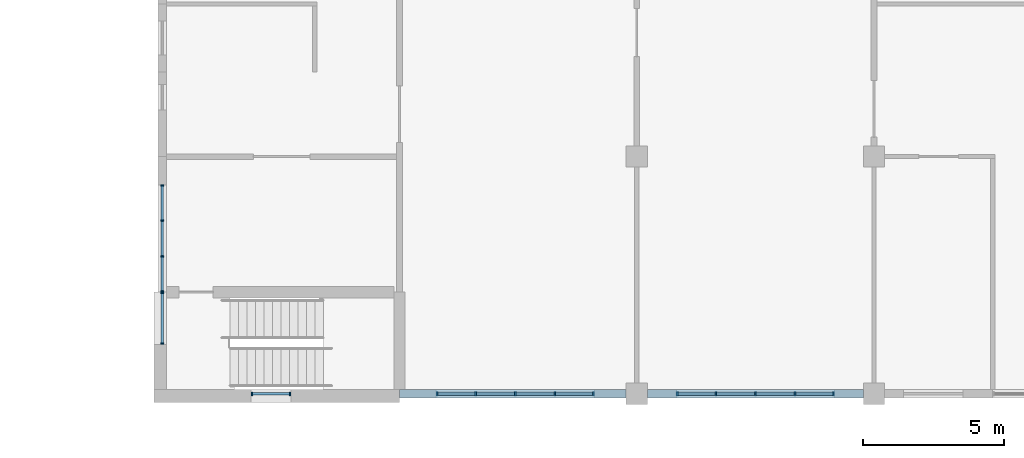
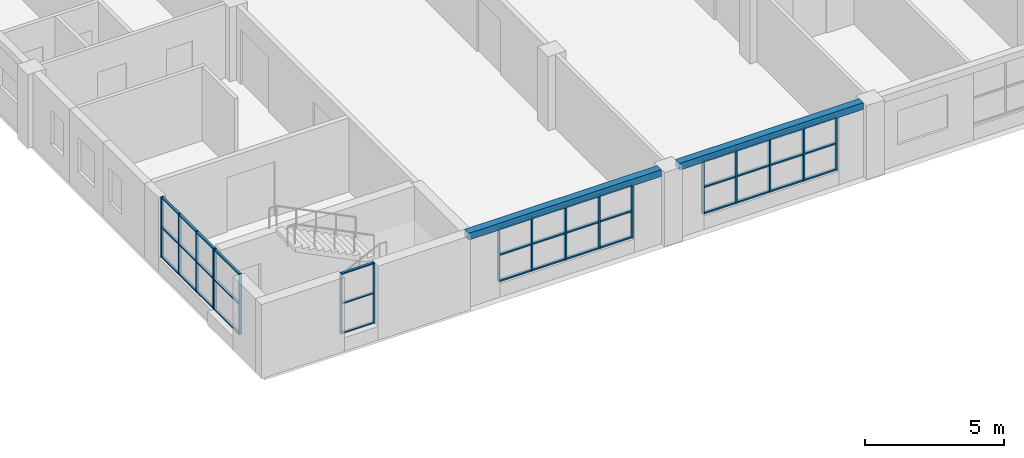
# One storey, part 8 of 45: 57 members, 2 beams, 5 elements without a shape of their own.
"""IFC4 building model written with IfcOpenShell, lengths in metres."""

from ifc_helpers import new_model, si_unit, direction, frame, origin, origin_2d, place, context, subcontext, project, spatial, rectangle, extrude, material, material_profile, profile_set, type_object, element, aggregate, save


model = new_model("IFC4")

# Units and contexts
model_context = context("Model", 3, precision=1e-05, world=origin(), true_north=direction((0.0, 1.0)))
body_context = subcontext(model_context, "Body", "Model", "MODEL_VIEW")
ifc_project = project(units=[si_unit("LENGTHUNIT", "METRE"), si_unit("AREAUNIT", "SQUARE_METRE"), si_unit("VOLUMEUNIT", "CUBIC_METRE"), si_unit("PLANEANGLEUNIT", "RADIAN"), si_unit("MASSUNIT", "GRAM", prefix="KILO")], contexts=[model_context])

# Site, building, storey
site_placement = place(None, origin())
site = spatial("IfcSite", under=ifc_project, at=site_placement, CompositionType="ELEMENT")
building_placement = place(site_placement, origin())
building = spatial("IfcBuilding", under=site, at=building_placement, Name="Yavir Park General Hospital", CompositionType="ELEMENT")
storey_placement = place(building_placement, frame((0.0, 0.0, 22.5)))
storey = spatial("IfcBuildingStorey", under=building, at=storey_placement, Name="L05", CompositionType="ELEMENT", Elevation=22.5)

# Curtain wall, members
ifc_material_1 = material(Name="Aluminium curtain wall frame with insulated glazing", Category="aluminium")
curtain_wall_type_1 = type_object("IfcCurtainWallType", Name="Day room pocket glazing, ward floors, 2360 high, 1400 module", PredefinedType="NOTDEFINED", material=ifc_material_1)
curtain_wall_1_placement = place(storey_placement, origin())
curtain_wall_1 = element("IfcCurtainWall", 1, at=curtain_wall_1_placement, inside=storey, type_object=curtain_wall_type_1, Name="CW6 L05-005", PredefinedType="NOTDEFINED")
ifc_material_2 = material(Name="Aluminium", Category="aluminium")
ifc_material_profile_1 = material_profile(ifc_material_2, rectangle(XDim=0.139892578125, YDim=0.06005859375, at=origin_2d()), Name="AL 60x140")
ifc_profile_set_1 = profile_set([ifc_material_profile_1], Name="Aluminium")
member_type_1 = type_object("IfcMemberType", Name="Day room pocket glazing, ward floors, 2360 high mullion 60 x 140", PredefinedType="MULLION", material=ifc_profile_set_1)
member_1_placement = place(storey_placement, frame((110.530029296875, 0.0, 0.60009765625), z_axis=(0.0, 0.0, 1.0), x_axis=(0.0, 1.0, 0.0)))
member_1 = element("IfcMember", 2, at=member_1_placement, type_object=member_type_1, Name="CW6 mullion 1", PredefinedType="MULLION", context=body_context, shape_type="SweptSolid", body=[
    extrude(rectangle(XDim=0.139892578125, YDim=0.06005859375, at=origin_2d()), origin(), (0.0, 0.0, 1.0), 2.35986328125),
])
member_2_placement = place(storey_placement, frame((111.89990234375, 0.0, 0.60009765625), z_axis=(0.0, 0.0, 1.0), x_axis=(0.0, 1.0, 0.0)))
member_2 = element("IfcMember", 3, at=member_2_placement, type_object=member_type_1, Name="CW6 mullion 2", PredefinedType="MULLION", context=body_context, shape_type="SweptSolid", body=[
    extrude(rectangle(XDim=0.139892578125, YDim=0.06005859375, at=origin_2d()), origin(), (0.0, 0.0, 1.0), 2.35986328125),
])
member_3_placement = place(storey_placement, frame((113.300048828125, 0.0, 0.60009765625), z_axis=(0.0, 0.0, 1.0), x_axis=(0.0, 1.0, 0.0)))
member_3 = element("IfcMember", 4, at=member_3_placement, type_object=member_type_1, Name="CW6 mullion 3", PredefinedType="MULLION", context=body_context, shape_type="SweptSolid", body=[
    extrude(rectangle(XDim=0.139892578125, YDim=0.06005859375, at=origin_2d()), origin(), (0.0, 0.0, 1.0), 2.35986328125),
])
member_4_placement = place(storey_placement, frame((114.699951171875, 0.0, 0.60009765625), z_axis=(0.0, 0.0, 1.0), x_axis=(0.0, 1.0, 0.0)))
member_4 = element("IfcMember", 5, at=member_4_placement, type_object=member_type_1, Name="CW6 mullion 4", PredefinedType="MULLION", context=body_context, shape_type="SweptSolid", body=[
    extrude(rectangle(XDim=0.139892578125, YDim=0.06005859375, at=origin_2d()), origin(), (0.0, 0.0, 1.0), 2.35986328125),
])
member_5_placement = place(storey_placement, frame((116.070068359375, 0.0, 0.60009765625), z_axis=(0.0, 0.0, 1.0), x_axis=(0.0, 1.0, 0.0)))
member_5 = element("IfcMember", 6, at=member_5_placement, type_object=member_type_1, Name="CW6 mullion 5", PredefinedType="MULLION", context=body_context, shape_type="SweptSolid", body=[
    extrude(rectangle(XDim=0.139892578125, YDim=0.06005859375, at=origin_2d()), origin(), (0.0, 0.0, 1.0), 2.35986328125),
])

curtain_wall_2_placement = place(storey_placement, origin())
curtain_wall_2 = element("IfcCurtainWall", 7, at=curtain_wall_2_placement, inside=storey, type_object=curtain_wall_type_1, Name="CW6 L05-006", PredefinedType="NOTDEFINED")
member_6_placement = place(storey_placement, frame((119.030029296875, 0.0, 0.60009765625), z_axis=(0.0, 0.0, 1.0), x_axis=(0.0, 1.0, 0.0)))
member_6 = element("IfcMember", 8, at=member_6_placement, type_object=member_type_1, Name="CW6 mullion 1", PredefinedType="MULLION", context=body_context, shape_type="SweptSolid", body=[
    extrude(rectangle(XDim=0.139892578125, YDim=0.06005859375, at=origin_2d()), origin(), (0.0, 0.0, 1.0), 2.35986328125),
])
member_7_placement = place(storey_placement, frame((120.39990234375, 0.0, 0.60009765625), z_axis=(0.0, 0.0, 1.0), x_axis=(0.0, 1.0, 0.0)))
member_7 = element("IfcMember", 9, at=member_7_placement, type_object=member_type_1, Name="CW6 mullion 2", PredefinedType="MULLION", context=body_context, shape_type="SweptSolid", body=[
    extrude(rectangle(XDim=0.139892578125, YDim=0.06005859375, at=origin_2d()), origin(), (0.0, 0.0, 1.0), 2.35986328125),
])
member_8_placement = place(storey_placement, frame((121.800048828125, 0.0, 0.60009765625), z_axis=(0.0, 0.0, 1.0), x_axis=(0.0, 1.0, 0.0)))
member_8 = element("IfcMember", 10, at=member_8_placement, type_object=member_type_1, Name="CW6 mullion 3", PredefinedType="MULLION", context=body_context, shape_type="SweptSolid", body=[
    extrude(rectangle(XDim=0.139892578125, YDim=0.06005859375, at=origin_2d()), origin(), (0.0, 0.0, 1.0), 2.35986328125),
])
member_9_placement = place(storey_placement, frame((123.199951171875, 0.0, 0.60009765625), z_axis=(0.0, 0.0, 1.0), x_axis=(0.0, 1.0, 0.0)))
member_9 = element("IfcMember", 11, at=member_9_placement, type_object=member_type_1, Name="CW6 mullion 4", PredefinedType="MULLION", context=body_context, shape_type="SweptSolid", body=[
    extrude(rectangle(XDim=0.139892578125, YDim=0.06005859375, at=origin_2d()), origin(), (0.0, 0.0, 1.0), 2.35986328125),
])
member_10_placement = place(storey_placement, frame((124.570068359375, 0.0, 0.60009765625), z_axis=(0.0, 0.0, 1.0), x_axis=(0.0, 1.0, 0.0)))
member_10 = element("IfcMember", 12, at=member_10_placement, type_object=member_type_1, Name="CW6 mullion 5", PredefinedType="MULLION", context=body_context, shape_type="SweptSolid", body=[
    extrude(rectangle(XDim=0.139892578125, YDim=0.06005859375, at=origin_2d()), origin(), (0.0, 0.0, 1.0), 2.35986328125),
])

# Member
ifc_material_3 = material(Name="Aluminium", Category="aluminium")
ifc_material_profile_2 = material_profile(ifc_material_3, rectangle(XDim=0.1201171875, YDim=0.06005859375, at=origin_2d()), Name="AL 120x60")
ifc_profile_set_2 = profile_set([ifc_material_profile_2], Name="Aluminium")
member_type_2 = type_object("IfcMemberType", Name="Day room pocket glazing, ward floors, 2360 high transom 60 x 120", PredefinedType="MULLION", material=ifc_profile_set_2)
member_11_placement = place(storey_placement, frame((110.56005859375, 0.0, 0.6298828125), z_axis=(1.0, 0.0, 0.0), x_axis=(0.0, 1.0, 0.0)))
member_11 = element("IfcMember", 13, at=member_11_placement, type_object=member_type_2, Name="CW6 transom 1.1", PredefinedType="MULLION", context=body_context, shape_type="SweptSolid", body=[
    extrude(rectangle(XDim=0.1201171875, YDim=0.06005859375, at=origin_2d()), origin(), (0.0, 0.0, 1.0), 1.31005859375),
])

member_12_placement = place(storey_placement, frame((110.56005859375, 0.0, 1.780029296875), z_axis=(1.0, 0.0, 0.0), x_axis=(0.0, 1.0, 0.0)))
member_12 = element("IfcMember", 14, at=member_12_placement, type_object=member_type_2, Name="CW6 transom 1.2", PredefinedType="MULLION", context=body_context, shape_type="SweptSolid", body=[
    extrude(rectangle(XDim=0.1201171875, YDim=0.06005859375, at=origin_2d()), origin(), (0.0, 0.0, 1.0), 1.31005859375),
])

member_13_placement = place(storey_placement, frame((110.56005859375, 0.0, 2.929931640625), z_axis=(1.0, 0.0, 0.0), x_axis=(0.0, 1.0, 0.0)))
member_13 = element("IfcMember", 15, at=member_13_placement, type_object=member_type_2, Name="CW6 transom 1.3", PredefinedType="MULLION", context=body_context, shape_type="SweptSolid", body=[
    extrude(rectangle(XDim=0.1201171875, YDim=0.06005859375, at=origin_2d()), origin(), (0.0, 0.0, 1.0), 1.31005859375),
])

member_14_placement = place(storey_placement, frame((111.929931640625, 0.0, 0.6298828125), z_axis=(1.0, 0.0, 0.0), x_axis=(0.0, 1.0, 0.0)))
member_14 = element("IfcMember", 16, at=member_14_placement, type_object=member_type_2, Name="CW6 transom 2.1", PredefinedType="MULLION", context=body_context, shape_type="SweptSolid", body=[
    extrude(rectangle(XDim=0.1201171875, YDim=0.06005859375, at=origin_2d()), origin(), (0.0, 0.0, 1.0), 1.340087890625),
])

member_15_placement = place(storey_placement, frame((111.929931640625, 0.0, 1.780029296875), z_axis=(1.0, 0.0, 0.0), x_axis=(0.0, 1.0, 0.0)))
member_15 = element("IfcMember", 17, at=member_15_placement, type_object=member_type_2, Name="CW6 transom 2.2", PredefinedType="MULLION", context=body_context, shape_type="SweptSolid", body=[
    extrude(rectangle(XDim=0.1201171875, YDim=0.06005859375, at=origin_2d()), origin(), (0.0, 0.0, 1.0), 1.340087890625),
])

member_16_placement = place(storey_placement, frame((111.929931640625, 0.0, 2.929931640625), z_axis=(1.0, 0.0, 0.0), x_axis=(0.0, 1.0, 0.0)))
member_16 = element("IfcMember", 18, at=member_16_placement, type_object=member_type_2, Name="CW6 transom 2.3", PredefinedType="MULLION", context=body_context, shape_type="SweptSolid", body=[
    extrude(rectangle(XDim=0.1201171875, YDim=0.06005859375, at=origin_2d()), origin(), (0.0, 0.0, 1.0), 1.340087890625),
])

member_17_placement = place(storey_placement, frame((113.330078125, 0.0, 0.6298828125), z_axis=(1.0, 0.0, 0.0), x_axis=(0.0, 1.0, 0.0)))
member_17 = element("IfcMember", 19, at=member_17_placement, type_object=member_type_2, Name="CW6 transom 3.1", PredefinedType="MULLION", context=body_context, shape_type="SweptSolid", body=[
    extrude(rectangle(XDim=0.1201171875, YDim=0.06005859375, at=origin_2d()), origin(), (0.0, 0.0, 1.0), 1.33984375),
])

member_18_placement = place(storey_placement, frame((113.330078125, 0.0, 1.780029296875), z_axis=(1.0, 0.0, 0.0), x_axis=(0.0, 1.0, 0.0)))
member_18 = element("IfcMember", 20, at=member_18_placement, type_object=member_type_2, Name="CW6 transom 3.2", PredefinedType="MULLION", context=body_context, shape_type="SweptSolid", body=[
    extrude(rectangle(XDim=0.1201171875, YDim=0.06005859375, at=origin_2d()), origin(), (0.0, 0.0, 1.0), 1.33984375),
])

member_19_placement = place(storey_placement, frame((113.330078125, 0.0, 2.929931640625), z_axis=(1.0, 0.0, 0.0), x_axis=(0.0, 1.0, 0.0)))
member_19 = element("IfcMember", 21, at=member_19_placement, type_object=member_type_2, Name="CW6 transom 3.3", PredefinedType="MULLION", context=body_context, shape_type="SweptSolid", body=[
    extrude(rectangle(XDim=0.1201171875, YDim=0.06005859375, at=origin_2d()), origin(), (0.0, 0.0, 1.0), 1.33984375),
])

member_20_placement = place(storey_placement, frame((114.72998046875, 0.0, 0.6298828125), z_axis=(1.0, 0.0, 0.0), x_axis=(0.0, 1.0, 0.0)))
member_20 = element("IfcMember", 22, at=member_20_placement, type_object=member_type_2, Name="CW6 transom 4.1", PredefinedType="MULLION", context=body_context, shape_type="SweptSolid", body=[
    extrude(rectangle(XDim=0.1201171875, YDim=0.06005859375, at=origin_2d()), origin(), (0.0, 0.0, 1.0), 1.31005859375),
])

member_21_placement = place(storey_placement, frame((114.72998046875, 0.0, 1.780029296875), z_axis=(1.0, 0.0, 0.0), x_axis=(0.0, 1.0, 0.0)))
member_21 = element("IfcMember", 23, at=member_21_placement, type_object=member_type_2, Name="CW6 transom 4.2", PredefinedType="MULLION", context=body_context, shape_type="SweptSolid", body=[
    extrude(rectangle(XDim=0.1201171875, YDim=0.06005859375, at=origin_2d()), origin(), (0.0, 0.0, 1.0), 1.31005859375),
])

member_22_placement = place(storey_placement, frame((114.72998046875, 0.0, 2.929931640625), z_axis=(1.0, 0.0, 0.0), x_axis=(0.0, 1.0, 0.0)))
member_22 = element("IfcMember", 24, at=member_22_placement, type_object=member_type_2, Name="CW6 transom 4.3", PredefinedType="MULLION", context=body_context, shape_type="SweptSolid", body=[
    extrude(rectangle(XDim=0.1201171875, YDim=0.06005859375, at=origin_2d()), origin(), (0.0, 0.0, 1.0), 1.31005859375),
])

aggregate(curtain_wall_1, [member_1, member_2, member_3, member_4, member_5, member_11, member_12, member_13, member_14, member_15, member_16, member_17, member_18, member_19, member_20, member_21, member_22])

member_23_placement = place(storey_placement, frame((119.06005859375, 0.0, 0.6298828125), z_axis=(1.0, 0.0, 0.0), x_axis=(0.0, 1.0, 0.0)))
member_23 = element("IfcMember", 25, at=member_23_placement, type_object=member_type_2, Name="CW6 transom 1.1", PredefinedType="MULLION", context=body_context, shape_type="SweptSolid", body=[
    extrude(rectangle(XDim=0.1201171875, YDim=0.06005859375, at=origin_2d()), origin(), (0.0, 0.0, 1.0), 1.31005859375),
])

member_24_placement = place(storey_placement, frame((119.06005859375, 0.0, 1.780029296875), z_axis=(1.0, 0.0, 0.0), x_axis=(0.0, 1.0, 0.0)))
member_24 = element("IfcMember", 26, at=member_24_placement, type_object=member_type_2, Name="CW6 transom 1.2", PredefinedType="MULLION", context=body_context, shape_type="SweptSolid", body=[
    extrude(rectangle(XDim=0.1201171875, YDim=0.06005859375, at=origin_2d()), origin(), (0.0, 0.0, 1.0), 1.31005859375),
])

member_25_placement = place(storey_placement, frame((119.06005859375, 0.0, 2.929931640625), z_axis=(1.0, 0.0, 0.0), x_axis=(0.0, 1.0, 0.0)))
member_25 = element("IfcMember", 27, at=member_25_placement, type_object=member_type_2, Name="CW6 transom 1.3", PredefinedType="MULLION", context=body_context, shape_type="SweptSolid", body=[
    extrude(rectangle(XDim=0.1201171875, YDim=0.06005859375, at=origin_2d()), origin(), (0.0, 0.0, 1.0), 1.31005859375),
])

member_26_placement = place(storey_placement, frame((120.429931640625, 0.0, 0.6298828125), z_axis=(1.0, 0.0, 0.0), x_axis=(0.0, 1.0, 0.0)))
member_26 = element("IfcMember", 28, at=member_26_placement, type_object=member_type_2, Name="CW6 transom 2.1", PredefinedType="MULLION", context=body_context, shape_type="SweptSolid", body=[
    extrude(rectangle(XDim=0.1201171875, YDim=0.06005859375, at=origin_2d()), origin(), (0.0, 0.0, 1.0), 1.340087890625),
])

member_27_placement = place(storey_placement, frame((120.429931640625, 0.0, 1.780029296875), z_axis=(1.0, 0.0, 0.0), x_axis=(0.0, 1.0, 0.0)))
member_27 = element("IfcMember", 29, at=member_27_placement, type_object=member_type_2, Name="CW6 transom 2.2", PredefinedType="MULLION", context=body_context, shape_type="SweptSolid", body=[
    extrude(rectangle(XDim=0.1201171875, YDim=0.06005859375, at=origin_2d()), origin(), (0.0, 0.0, 1.0), 1.340087890625),
])

member_28_placement = place(storey_placement, frame((120.429931640625, 0.0, 2.929931640625), z_axis=(1.0, 0.0, 0.0), x_axis=(0.0, 1.0, 0.0)))
member_28 = element("IfcMember", 30, at=member_28_placement, type_object=member_type_2, Name="CW6 transom 2.3", PredefinedType="MULLION", context=body_context, shape_type="SweptSolid", body=[
    extrude(rectangle(XDim=0.1201171875, YDim=0.06005859375, at=origin_2d()), origin(), (0.0, 0.0, 1.0), 1.340087890625),
])

member_29_placement = place(storey_placement, frame((121.830078125, 0.0, 0.6298828125), z_axis=(1.0, 0.0, 0.0), x_axis=(0.0, 1.0, 0.0)))
member_29 = element("IfcMember", 31, at=member_29_placement, type_object=member_type_2, Name="CW6 transom 3.1", PredefinedType="MULLION", context=body_context, shape_type="SweptSolid", body=[
    extrude(rectangle(XDim=0.1201171875, YDim=0.06005859375, at=origin_2d()), origin(), (0.0, 0.0, 1.0), 1.33984375),
])

member_30_placement = place(storey_placement, frame((121.830078125, 0.0, 1.780029296875), z_axis=(1.0, 0.0, 0.0), x_axis=(0.0, 1.0, 0.0)))
member_30 = element("IfcMember", 32, at=member_30_placement, type_object=member_type_2, Name="CW6 transom 3.2", PredefinedType="MULLION", context=body_context, shape_type="SweptSolid", body=[
    extrude(rectangle(XDim=0.1201171875, YDim=0.06005859375, at=origin_2d()), origin(), (0.0, 0.0, 1.0), 1.33984375),
])

member_31_placement = place(storey_placement, frame((121.830078125, 0.0, 2.929931640625), z_axis=(1.0, 0.0, 0.0), x_axis=(0.0, 1.0, 0.0)))
member_31 = element("IfcMember", 33, at=member_31_placement, type_object=member_type_2, Name="CW6 transom 3.3", PredefinedType="MULLION", context=body_context, shape_type="SweptSolid", body=[
    extrude(rectangle(XDim=0.1201171875, YDim=0.06005859375, at=origin_2d()), origin(), (0.0, 0.0, 1.0), 1.33984375),
])

member_32_placement = place(storey_placement, frame((123.22998046875, 0.0, 0.6298828125), z_axis=(1.0, 0.0, 0.0), x_axis=(0.0, 1.0, 0.0)))
member_32 = element("IfcMember", 34, at=member_32_placement, type_object=member_type_2, Name="CW6 transom 4.1", PredefinedType="MULLION", context=body_context, shape_type="SweptSolid", body=[
    extrude(rectangle(XDim=0.1201171875, YDim=0.06005859375, at=origin_2d()), origin(), (0.0, 0.0, 1.0), 1.31005859375),
])

member_33_placement = place(storey_placement, frame((123.22998046875, 0.0, 1.780029296875), z_axis=(1.0, 0.0, 0.0), x_axis=(0.0, 1.0, 0.0)))
member_33 = element("IfcMember", 35, at=member_33_placement, type_object=member_type_2, Name="CW6 transom 4.2", PredefinedType="MULLION", context=body_context, shape_type="SweptSolid", body=[
    extrude(rectangle(XDim=0.1201171875, YDim=0.06005859375, at=origin_2d()), origin(), (0.0, 0.0, 1.0), 1.31005859375),
])

member_34_placement = place(storey_placement, frame((123.22998046875, 0.0, 2.929931640625), z_axis=(1.0, 0.0, 0.0), x_axis=(0.0, 1.0, 0.0)))
member_34 = element("IfcMember", 36, at=member_34_placement, type_object=member_type_2, Name="CW6 transom 4.3", PredefinedType="MULLION", context=body_context, shape_type="SweptSolid", body=[
    extrude(rectangle(XDim=0.1201171875, YDim=0.06005859375, at=origin_2d()), origin(), (0.0, 0.0, 1.0), 1.31005859375),
])

aggregate(curtain_wall_2, [member_6, member_7, member_8, member_9, member_10, member_23, member_24, member_25, member_26, member_27, member_28, member_29, member_30, member_31, member_32, member_33, member_34])

# Beams
ifc_material_4 = material(Name="Concrete C35/45", Category="concrete")
ifc_material_profile_3 = material_profile(ifc_material_4, rectangle(XDim=0.300048828125, YDim=0.300048828125, at=origin_2d()), Name="RC300x300")
ifc_profile_set_3 = profile_set([ifc_material_profile_3], Name="Concrete C35/45")
beam_type = type_object("IfcBeamType", Name="RC BEAM 300x300 edge beam", PredefinedType="BEAM", material=ifc_profile_set_3)
beam_1_placement = place(storey_placement, frame((109.199951171875, 0.0, 3.110107421875), z_axis=(1.0, 0.0, 0.0), x_axis=(0.0, 1.0, 0.0)))
element("IfcBeam", 37, at=beam_1_placement, inside=storey, type_object=beam_type, Name="B:EDGE:L05:005", PredefinedType="BEAM", context=body_context, shape_type="SweptSolid", body=[
    extrude(rectangle(XDim=0.300048828125, YDim=0.300048828125, at=origin_2d()), origin(), (0.0, 0.0, 1.0), 8.025146484375),
])
beam_2_placement = place(storey_placement, frame((117.97509765625, 0.0, 3.110107421875), z_axis=(1.0, 0.0, 0.0), x_axis=(0.0, 1.0, 0.0)))
element("IfcBeam", 38, at=beam_2_placement, inside=storey, type_object=beam_type, Name="B:EDGE:L05:006", PredefinedType="BEAM", context=body_context, shape_type="SweptSolid", body=[
    extrude(rectangle(XDim=0.300048828125, YDim=0.300048828125, at=origin_2d()), origin(), (0.0, 0.0, 1.0), 7.64990234375),
])

# Curtain wall, members
ifc_material_5 = material(Name="Aluminium curtain wall frame with insulated glazing", Category="aluminium")
curtain_wall_type_2 = type_object("IfcCurtainWallType", Name="Stair light slot, ward floors, 2660 high, 1400 module", PredefinedType="NOTDEFINED", material=ifc_material_5)
curtain_wall_3_placement = place(storey_placement, origin())
curtain_wall_3 = element("IfcCurtainWall", 39, at=curtain_wall_3_placement, inside=storey, type_object=curtain_wall_type_2, Name="CW10 L05-004", PredefinedType="NOTDEFINED")
ifc_material_6 = material(Name="Aluminium", Category="aluminium")
ifc_material_profile_4 = material_profile(ifc_material_6, rectangle(XDim=0.1201171875, YDim=0.050048828125, at=origin_2d()), Name="AL 50x120")
ifc_profile_set_4 = profile_set([ifc_material_profile_4], Name="Aluminium")
member_type_3 = type_object("IfcMemberType", Name="Stair light slot, ward floors, 2660 high mullion 50 x 120", PredefinedType="MULLION", material=ifc_profile_set_4)
member_35_placement = place(storey_placement, frame((103.97509765625, 0.0, 0.60009765625), z_axis=(0.0, 0.0, 1.0), x_axis=(0.0, 1.0, 0.0)))
member_35 = element("IfcMember", 40, at=member_35_placement, type_object=member_type_3, Name="CW10 mullion 1", PredefinedType="MULLION", context=body_context, shape_type="SweptSolid", body=[
    extrude(rectangle(XDim=0.1201171875, YDim=0.050048828125, at=origin_2d()), origin(), (0.0, 0.0, 1.0), 2.659912109375),
])
member_36_placement = place(storey_placement, frame((105.324951171875, 0.0, 0.60009765625), z_axis=(0.0, 0.0, 1.0), x_axis=(0.0, 1.0, 0.0)))
member_36 = element("IfcMember", 41, at=member_36_placement, type_object=member_type_3, Name="CW10 mullion 2", PredefinedType="MULLION", context=body_context, shape_type="SweptSolid", body=[
    extrude(rectangle(XDim=0.1201171875, YDim=0.050048828125, at=origin_2d()), origin(), (0.0, 0.0, 1.0), 2.659912109375),
])

curtain_wall_4_placement = place(storey_placement, origin())
curtain_wall_4 = element("IfcCurtainWall", 42, at=curtain_wall_4_placement, inside=storey, type_object=curtain_wall_type_2, Name="CW10 L05-028", PredefinedType="NOTDEFINED")
member_37_placement = place(storey_placement, frame((100.800048828125, 1.77490234375, 0.60009765625), z_axis=(0.0, 0.0, 1.0), x_axis=(-1.0, 0.0, 0.0)))
member_37 = element("IfcMember", 43, at=member_37_placement, type_object=member_type_3, Name="CW10 mullion 1", PredefinedType="MULLION", context=body_context, shape_type="SweptSolid", body=[
    extrude(rectangle(XDim=0.1201171875, YDim=0.050048828125, at=origin_2d()), origin(), (0.0, 0.0, 1.0), 2.659912109375),
])
member_38_placement = place(storey_placement, frame((100.800048828125, 3.574951171875, 0.60009765625), z_axis=(0.0, 0.0, 1.0), x_axis=(-1.0, 0.0, 0.0)))
member_38 = element("IfcMember", 44, at=member_38_placement, type_object=member_type_3, Name="CW10 mullion 2", PredefinedType="MULLION", context=body_context, shape_type="SweptSolid", body=[
    extrude(rectangle(XDim=0.1201171875, YDim=0.050048828125, at=origin_2d()), origin(), (0.0, 0.0, 1.0), 2.659912109375),
])

# Member
ifc_material_7 = material(Name="Aluminium", Category="aluminium")
ifc_material_profile_5 = material_profile(ifc_material_7, rectangle(XDim=0.10009765625, YDim=0.050048828125, at=origin_2d()), Name="AL 100x50")
ifc_profile_set_5 = profile_set([ifc_material_profile_5], Name="Aluminium")
member_type_4 = type_object("IfcMemberType", Name="Stair light slot, ward floors, 2660 high transom 50 x 100", PredefinedType="MULLION", material=ifc_profile_set_5)
member_39_placement = place(storey_placement, frame((104.0, 0.0, 0.625), z_axis=(1.0, 0.0, 0.0), x_axis=(0.0, 1.0, 0.0)))
member_39 = element("IfcMember", 45, at=member_39_placement, type_object=member_type_4, Name="CW10 transom 1.1", PredefinedType="MULLION", context=body_context, shape_type="SweptSolid", body=[
    extrude(rectangle(XDim=0.10009765625, YDim=0.050048828125, at=origin_2d()), origin(), (0.0, 0.0, 1.0), 1.300048828125),
])

member_40_placement = place(storey_placement, frame((104.0, 0.0, 1.929931640625), z_axis=(1.0, 0.0, 0.0), x_axis=(0.0, 1.0, 0.0)))
member_40 = element("IfcMember", 46, at=member_40_placement, type_object=member_type_4, Name="CW10 transom 1.2", PredefinedType="MULLION", context=body_context, shape_type="SweptSolid", body=[
    extrude(rectangle(XDim=0.10009765625, YDim=0.050048828125, at=origin_2d()), origin(), (0.0, 0.0, 1.0), 1.300048828125),
])

member_41_placement = place(storey_placement, frame((104.0, 0.0, 3.235107421875), z_axis=(1.0, 0.0, 0.0), x_axis=(0.0, 1.0, 0.0)))
member_41 = element("IfcMember", 47, at=member_41_placement, type_object=member_type_4, Name="CW10 transom 1.3", PredefinedType="MULLION", context=body_context, shape_type="SweptSolid", body=[
    extrude(rectangle(XDim=0.10009765625, YDim=0.050048828125, at=origin_2d()), origin(), (0.0, 0.0, 1.0), 1.300048828125),
])

aggregate(curtain_wall_3, [member_35, member_36, member_39, member_40, member_41])

member_42_placement = place(storey_placement, frame((100.800048828125, 1.800048828125, 0.625), z_axis=(0.0, 1.0, 0.0), x_axis=(-1.0, 0.0, 0.0)))
member_42 = element("IfcMember", 48, at=member_42_placement, type_object=member_type_4, Name="CW10 transom 1.1", PredefinedType="MULLION", context=body_context, shape_type="SweptSolid", body=[
    extrude(rectangle(XDim=0.10009765625, YDim=0.050048828125, at=origin_2d()), origin(), (0.0, 0.0, 1.0), 1.75),
])

member_43_placement = place(storey_placement, frame((100.800048828125, 1.800048828125, 1.929931640625), z_axis=(0.0, 1.0, 0.0), x_axis=(-1.0, 0.0, 0.0)))
member_43 = element("IfcMember", 49, at=member_43_placement, type_object=member_type_4, Name="CW10 transom 1.2", PredefinedType="MULLION", context=body_context, shape_type="SweptSolid", body=[
    extrude(rectangle(XDim=0.10009765625, YDim=0.050048828125, at=origin_2d()), origin(), (0.0, 0.0, 1.0), 1.75),
])

member_44_placement = place(storey_placement, frame((100.800048828125, 1.800048828125, 3.235107421875), z_axis=(0.0, 1.0, 0.0), x_axis=(-1.0, 0.0, 0.0)))
member_44 = element("IfcMember", 50, at=member_44_placement, type_object=member_type_4, Name="CW10 transom 1.3", PredefinedType="MULLION", context=body_context, shape_type="SweptSolid", body=[
    extrude(rectangle(XDim=0.10009765625, YDim=0.050048828125, at=origin_2d()), origin(), (0.0, 0.0, 1.0), 1.75),
])

aggregate(curtain_wall_4, [member_37, member_38, member_42, member_43, member_44])

# Curtain wall, members
ifc_material_8 = material(Name="Aluminium curtain wall frame with insulated glazing", Category="aluminium")
curtain_wall_type_3 = type_object("IfcCurtainWallType", Name="Ward corridor end glazing, 2660 high, 1400 module", PredefinedType="NOTDEFINED", material=ifc_material_8)
curtain_wall_5_placement = place(storey_placement, origin())
curtain_wall_5 = element("IfcCurtainWall", 51, at=curtain_wall_5_placement, inside=storey, type_object=curtain_wall_type_3, Name="CW15 L05-029", PredefinedType="NOTDEFINED")
ifc_material_9 = material(Name="Aluminium", Category="aluminium")
ifc_material_profile_6 = material_profile(ifc_material_9, rectangle(XDim=0.1201171875, YDim=0.050048828125, at=origin_2d()), Name="AL 50x120")
ifc_profile_set_6 = profile_set([ifc_material_profile_6], Name="Aluminium")
member_type_5 = type_object("IfcMemberType", Name="Ward corridor end glazing, 2660 high mullion 50 x 120", PredefinedType="MULLION", material=ifc_profile_set_6)
member_45_placement = place(storey_placement, frame((100.800048828125, 3.625, 0.60009765625), z_axis=(0.0, 0.0, 1.0), x_axis=(-1.0, 0.0, 0.0)))
member_45 = element("IfcMember", 52, at=member_45_placement, type_object=member_type_5, Name="CW15 mullion 1", PredefinedType="MULLION", context=body_context, shape_type="SweptSolid", body=[
    extrude(rectangle(XDim=0.1201171875, YDim=0.050048828125, at=origin_2d()), origin(), (0.0, 0.0, 1.0), 2.659912109375),
])
member_46_placement = place(storey_placement, frame((100.800048828125, 4.86669921875, 0.60009765625), z_axis=(0.0, 0.0, 1.0), x_axis=(-1.0, 0.0, 0.0)))
member_46 = element("IfcMember", 53, at=member_46_placement, type_object=member_type_5, Name="CW15 mullion 2", PredefinedType="MULLION", context=body_context, shape_type="SweptSolid", body=[
    extrude(rectangle(XDim=0.1201171875, YDim=0.050048828125, at=origin_2d()), origin(), (0.0, 0.0, 1.0), 2.659912109375),
])
member_47_placement = place(storey_placement, frame((100.800048828125, 6.13330078125, 0.60009765625), z_axis=(0.0, 0.0, 1.0), x_axis=(-1.0, 0.0, 0.0)))
member_47 = element("IfcMember", 54, at=member_47_placement, type_object=member_type_5, Name="CW15 mullion 3", PredefinedType="MULLION", context=body_context, shape_type="SweptSolid", body=[
    extrude(rectangle(XDim=0.1201171875, YDim=0.050048828125, at=origin_2d()), origin(), (0.0, 0.0, 1.0), 2.659912109375),
])
member_48_placement = place(storey_placement, frame((100.800048828125, 7.375, 0.60009765625), z_axis=(0.0, 0.0, 1.0), x_axis=(-1.0, 0.0, 0.0)))
member_48 = element("IfcMember", 55, at=member_48_placement, type_object=member_type_5, Name="CW15 mullion 4", PredefinedType="MULLION", context=body_context, shape_type="SweptSolid", body=[
    extrude(rectangle(XDim=0.1201171875, YDim=0.050048828125, at=origin_2d()), origin(), (0.0, 0.0, 1.0), 2.659912109375),
])
ifc_material_10 = material(Name="Aluminium", Category="aluminium")
ifc_material_profile_7 = material_profile(ifc_material_10, rectangle(XDim=0.10009765625, YDim=0.050048828125, at=origin_2d()), Name="AL 100x50")
ifc_profile_set_7 = profile_set([ifc_material_profile_7], Name="Aluminium")
member_type_6 = type_object("IfcMemberType", Name="Ward corridor end glazing, 2660 high transom 50 x 100", PredefinedType="MULLION", material=ifc_profile_set_7)
member_49_placement = place(storey_placement, frame((100.800048828125, 3.64990234375, 0.625), z_axis=(0.0, 1.0, 0.0), x_axis=(-1.0, 0.0, 0.0)))
member_49 = element("IfcMember", 56, at=member_49_placement, type_object=member_type_6, Name="CW15 transom 1.1", PredefinedType="MULLION", context=body_context, shape_type="SweptSolid", body=[
    extrude(rectangle(XDim=0.10009765625, YDim=0.050048828125, at=origin_2d()), origin(), (0.0, 0.0, 1.0), 1.191650390625),
])
member_50_placement = place(storey_placement, frame((100.800048828125, 3.64990234375, 1.929931640625), z_axis=(0.0, 1.0, 0.0), x_axis=(-1.0, 0.0, 0.0)))
member_50 = element("IfcMember", 57, at=member_50_placement, type_object=member_type_6, Name="CW15 transom 1.2", PredefinedType="MULLION", context=body_context, shape_type="SweptSolid", body=[
    extrude(rectangle(XDim=0.10009765625, YDim=0.050048828125, at=origin_2d()), origin(), (0.0, 0.0, 1.0), 1.191650390625),
])
member_51_placement = place(storey_placement, frame((100.800048828125, 3.64990234375, 3.235107421875), z_axis=(0.0, 1.0, 0.0), x_axis=(-1.0, 0.0, 0.0)))
member_51 = element("IfcMember", 58, at=member_51_placement, type_object=member_type_6, Name="CW15 transom 1.3", PredefinedType="MULLION", context=body_context, shape_type="SweptSolid", body=[
    extrude(rectangle(XDim=0.10009765625, YDim=0.050048828125, at=origin_2d()), origin(), (0.0, 0.0, 1.0), 1.191650390625),
])
member_52_placement = place(storey_placement, frame((100.800048828125, 4.8916015625, 0.625), z_axis=(0.0, 1.0, 0.0), x_axis=(-1.0, 0.0, 0.0)))
member_52 = element("IfcMember", 59, at=member_52_placement, type_object=member_type_6, Name="CW15 transom 2.1", PredefinedType="MULLION", context=body_context, shape_type="SweptSolid", body=[
    extrude(rectangle(XDim=0.10009765625, YDim=0.050048828125, at=origin_2d()), origin(), (0.0, 0.0, 1.0), 1.216796875),
])
member_53_placement = place(storey_placement, frame((100.800048828125, 4.8916015625, 1.929931640625), z_axis=(0.0, 1.0, 0.0), x_axis=(-1.0, 0.0, 0.0)))
member_53 = element("IfcMember", 60, at=member_53_placement, type_object=member_type_6, Name="CW15 transom 2.2", PredefinedType="MULLION", context=body_context, shape_type="SweptSolid", body=[
    extrude(rectangle(XDim=0.10009765625, YDim=0.050048828125, at=origin_2d()), origin(), (0.0, 0.0, 1.0), 1.216796875),
])
member_54_placement = place(storey_placement, frame((100.800048828125, 4.8916015625, 3.235107421875), z_axis=(0.0, 1.0, 0.0), x_axis=(-1.0, 0.0, 0.0)))
member_54 = element("IfcMember", 61, at=member_54_placement, type_object=member_type_6, Name="CW15 transom 2.3", PredefinedType="MULLION", context=body_context, shape_type="SweptSolid", body=[
    extrude(rectangle(XDim=0.10009765625, YDim=0.050048828125, at=origin_2d()), origin(), (0.0, 0.0, 1.0), 1.216796875),
])
member_55_placement = place(storey_placement, frame((100.800048828125, 6.158447265625, 0.625), z_axis=(0.0, 1.0, 0.0), x_axis=(-1.0, 0.0, 0.0)))
member_55 = element("IfcMember", 62, at=member_55_placement, type_object=member_type_6, Name="CW15 transom 3.1", PredefinedType="MULLION", context=body_context, shape_type="SweptSolid", body=[
    extrude(rectangle(XDim=0.10009765625, YDim=0.050048828125, at=origin_2d()), origin(), (0.0, 0.0, 1.0), 1.191650390625),
])
member_56_placement = place(storey_placement, frame((100.800048828125, 6.158447265625, 1.929931640625), z_axis=(0.0, 1.0, 0.0), x_axis=(-1.0, 0.0, 0.0)))
member_56 = element("IfcMember", 63, at=member_56_placement, type_object=member_type_6, Name="CW15 transom 3.2", PredefinedType="MULLION", context=body_context, shape_type="SweptSolid", body=[
    extrude(rectangle(XDim=0.10009765625, YDim=0.050048828125, at=origin_2d()), origin(), (0.0, 0.0, 1.0), 1.191650390625),
])
member_57_placement = place(storey_placement, frame((100.800048828125, 6.158447265625, 3.235107421875), z_axis=(0.0, 1.0, 0.0), x_axis=(-1.0, 0.0, 0.0)))
member_57 = element("IfcMember", 64, at=member_57_placement, type_object=member_type_6, Name="CW15 transom 3.3", PredefinedType="MULLION", context=body_context, shape_type="SweptSolid", body=[
    extrude(rectangle(XDim=0.10009765625, YDim=0.050048828125, at=origin_2d()), origin(), (0.0, 0.0, 1.0), 1.191650390625),
])
aggregate(curtain_wall_5, [member_45, member_46, member_47, member_48, member_49, member_50, member_51, member_52, member_53, member_54, member_55, member_56, member_57])

save(model, "model.ifc")
